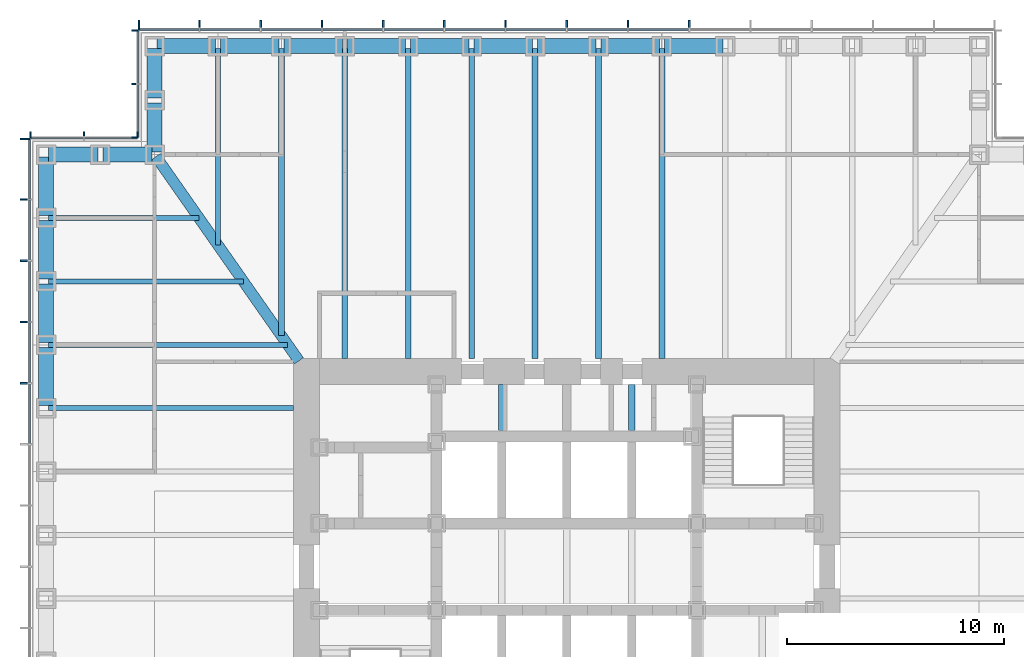
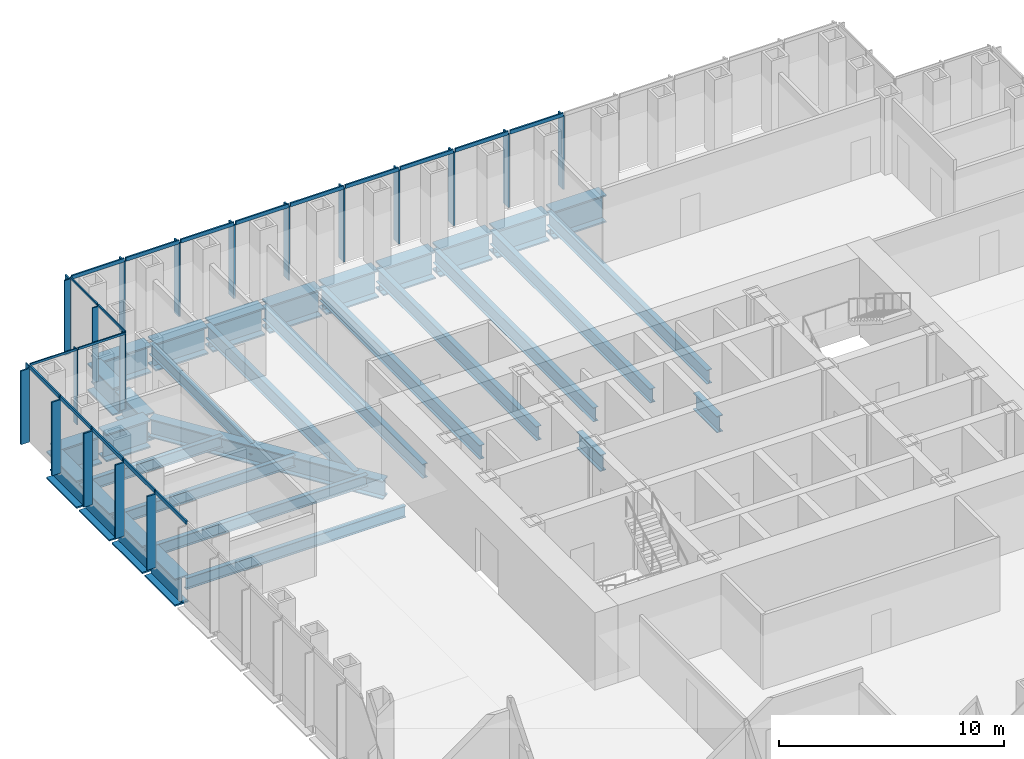
# One storey, part 5 of 17: 39 members, 32 beams, 4 elements without a shape of their own.
"""IFC4 building model written with IfcOpenShell, lengths in metres."""

from ifc_helpers import new_model, si_unit, direction, frame, origin, origin_2d, place, context, subcontext, project, spatial, rectangle, i_section, extrude, material, material_profile, profile_set, type_object, element, aggregate, save


model = new_model("IFC4")

# Units and contexts
model_context = context("Model", 3, precision=1e-05, world=origin(), true_north=direction((0.0, 1.0)))
body_context = subcontext(model_context, "Body", "Model", "MODEL_VIEW")
ifc_project = project(units=[si_unit("LENGTHUNIT", "METRE"), si_unit("AREAUNIT", "SQUARE_METRE"), si_unit("VOLUMEUNIT", "CUBIC_METRE"), si_unit("PLANEANGLEUNIT", "RADIAN"), si_unit("MASSUNIT", "GRAM", prefix="KILO")], contexts=[model_context])

# Site, building, storey
site_placement = place(None, origin())
site = spatial("IfcSite", under=ifc_project, at=site_placement, CompositionType="ELEMENT")
building_placement = place(site_placement, origin())
building = spatial("IfcBuilding", under=site, at=building_placement, Name="Daluyong Arena Tower", CompositionType="ELEMENT")
storey_placement = place(building_placement, frame((0.0, 0.0, 81.10009765625)))
storey = spatial("IfcBuildingStorey", under=building, at=storey_placement, Name="L17", CompositionType="ELEMENT", Elevation=81.10009765625)

# Curtain wall, members
ifc_material_1 = material(Name="Bronze anodised aluminium and glass", Category="aluminium")
curtain_wall_type_1 = type_object("IfcCurtainWallType", Name="Curtain wall CW1", PredefinedType="USERDEFINED", material=ifc_material_1)
curtain_wall_1_placement = place(storey_placement, origin())
curtain_wall_1 = element("IfcCurtainWall", 1, at=curtain_wall_1_placement, inside=storey, type_object=curtain_wall_type_1, Name="curtain wall L17 N", ObjectType="UNITISED CURTAIN WALL", PredefinedType="USERDEFINED")
ifc_material_2 = material(Name="Bronze anodised aluminium fin", Category="aluminium")
ifc_material_profile_1 = material_profile(ifc_material_2, rectangle(XDim=0.449951171875, YDim=0.080078125, at=origin_2d()))
ifc_profile_set_1 = profile_set([ifc_material_profile_1], Name="Bronze anodised aluminium fin")
member_type_1 = type_object("IfcMemberType", Name="CW1 bronze fin 450x80", PredefinedType="MULLION", material=ifc_profile_set_1)
member_1_placement = place(storey_placement, frame((61.642822265625, 104.97509765625, 0.0), z_axis=(0.0, 0.0, 1.0), x_axis=(0.0, -1.0, 0.0)))
member_1 = element("IfcMember", 2, at=member_1_placement, type_object=member_type_1, Name="curtain wall L17 N fin 6", PredefinedType="MULLION", context=body_context, shape_type="SweptSolid", body=[
    extrude(rectangle(XDim=0.449951171875, YDim=0.080078125, at=origin_2d()), origin(), (0.0, 0.0, 1.0), 4.0),
])
member_2_placement = place(storey_placement, frame((58.821533203125, 104.97509765625, 0.0), z_axis=(0.0, 0.0, 1.0), x_axis=(0.0, -1.0, 0.0)))
member_2 = element("IfcMember", 3, at=member_2_placement, type_object=member_type_1, Name="curtain wall L17 N fin 7", PredefinedType="MULLION", context=body_context, shape_type="SweptSolid", body=[
    extrude(rectangle(XDim=0.449951171875, YDim=0.080078125, at=origin_2d()), origin(), (0.0, 0.0, 1.0), 4.0),
])
member_3_placement = place(storey_placement, frame((56.0, 104.97509765625, 0.0), z_axis=(0.0, 0.0, 1.0), x_axis=(0.0, -1.0, 0.0)))
member_3 = element("IfcMember", 4, at=member_3_placement, type_object=member_type_1, Name="curtain wall L17 N fin 8", PredefinedType="MULLION", context=body_context, shape_type="SweptSolid", body=[
    extrude(rectangle(XDim=0.449951171875, YDim=0.080078125, at=origin_2d()), origin(), (0.0, 0.0, 1.0), 4.0),
])
member_4_placement = place(storey_placement, frame((53.178466796875, 104.97509765625, 0.0), z_axis=(0.0, 0.0, 1.0), x_axis=(0.0, -1.0, 0.0)))
member_4 = element("IfcMember", 5, at=member_4_placement, type_object=member_type_1, Name="curtain wall L17 N fin 9", PredefinedType="MULLION", context=body_context, shape_type="SweptSolid", body=[
    extrude(rectangle(XDim=0.449951171875, YDim=0.080078125, at=origin_2d()), origin(), (0.0, 0.0, 1.0), 4.0),
])
member_5_placement = place(storey_placement, frame((50.357177734375, 104.97509765625, 0.0), z_axis=(0.0, 0.0, 1.0), x_axis=(0.0, -1.0, 0.0)))
member_5 = element("IfcMember", 6, at=member_5_placement, type_object=member_type_1, Name="curtain wall L17 N fin 10", PredefinedType="MULLION", context=body_context, shape_type="SweptSolid", body=[
    extrude(rectangle(XDim=0.449951171875, YDim=0.080078125, at=origin_2d()), origin(), (0.0, 0.0, 1.0), 4.0),
])
member_6_placement = place(storey_placement, frame((47.53564453125, 104.97509765625, 0.0), z_axis=(0.0, 0.0, 1.0), x_axis=(0.0, -1.0, 0.0)))
member_6 = element("IfcMember", 7, at=member_6_placement, type_object=member_type_1, Name="curtain wall L17 N fin 11", PredefinedType="MULLION", context=body_context, shape_type="SweptSolid", body=[
    extrude(rectangle(XDim=0.449951171875, YDim=0.080078125, at=origin_2d()), origin(), (0.0, 0.0, 1.0), 4.0),
])
member_7_placement = place(storey_placement, frame((44.71435546875, 104.97509765625, 0.0), z_axis=(0.0, 0.0, 1.0), x_axis=(0.0, -1.0, 0.0)))
member_7 = element("IfcMember", 8, at=member_7_placement, type_object=member_type_1, Name="curtain wall L17 N fin 12", PredefinedType="MULLION", context=body_context, shape_type="SweptSolid", body=[
    extrude(rectangle(XDim=0.449951171875, YDim=0.080078125, at=origin_2d()), origin(), (0.0, 0.0, 1.0), 4.0),
])
member_8_placement = place(storey_placement, frame((41.892822265625, 104.97509765625, 0.0), z_axis=(0.0, 0.0, 1.0), x_axis=(0.0, -1.0, 0.0)))
member_8 = element("IfcMember", 9, at=member_8_placement, type_object=member_type_1, Name="curtain wall L17 N fin 13", PredefinedType="MULLION", context=body_context, shape_type="SweptSolid", body=[
    extrude(rectangle(XDim=0.449951171875, YDim=0.080078125, at=origin_2d()), origin(), (0.0, 0.0, 1.0), 4.0),
])
member_9_placement = place(storey_placement, frame((39.071533203125, 104.97509765625, 0.0), z_axis=(0.0, 0.0, 1.0), x_axis=(0.0, -1.0, 0.0)))
member_9 = element("IfcMember", 10, at=member_9_placement, type_object=member_type_1, Name="curtain wall L17 N fin 14", PredefinedType="MULLION", context=body_context, shape_type="SweptSolid", body=[
    extrude(rectangle(XDim=0.449951171875, YDim=0.080078125, at=origin_2d()), origin(), (0.0, 0.0, 1.0), 4.0),
])
member_10_placement = place(storey_placement, frame((36.2900390625, 104.97509765625, 0.0), z_axis=(0.0, 0.0, 1.0), x_axis=(0.0, -1.0, 0.0)))
member_10 = element("IfcMember", 11, at=member_10_placement, type_object=member_type_1, Name="curtain wall L17 N fin 15", PredefinedType="MULLION", context=body_context, shape_type="SweptSolid", body=[
    extrude(rectangle(XDim=0.449951171875, YDim=0.080078125, at=origin_2d()), origin(), (0.0, 0.0, 1.0), 4.0),
])

curtain_wall_2_placement = place(storey_placement, origin())
curtain_wall_2 = element("IfcCurtainWall", 12, at=curtain_wall_2_placement, inside=storey, type_object=curtain_wall_type_1, Name="curtain wall L17 W", ObjectType="UNITISED CURTAIN WALL", PredefinedType="USERDEFINED")
member_11_placement = place(storey_placement, frame((31.02490234375, 99.7099609375, 0.0), z_axis=(0.0, 0.0, 1.0), x_axis=(1.0, 0.0, 0.0)))
member_11 = element("IfcMember", 13, at=member_11_placement, type_object=member_type_1, Name="curtain wall L17 W fin 1", PredefinedType="MULLION", context=body_context, shape_type="SweptSolid", body=[
    extrude(rectangle(XDim=0.449951171875, YDim=0.080078125, at=origin_2d()), origin(), (0.0, 0.0, 1.0), 4.0),
])
member_12_placement = place(storey_placement, frame((31.02490234375, 96.928466796875, 0.0), z_axis=(0.0, 0.0, 1.0), x_axis=(1.0, 0.0, 0.0)))
member_12 = element("IfcMember", 14, at=member_12_placement, type_object=member_type_1, Name="curtain wall L17 W fin 2", PredefinedType="MULLION", context=body_context, shape_type="SweptSolid", body=[
    extrude(rectangle(XDim=0.449951171875, YDim=0.080078125, at=origin_2d()), origin(), (0.0, 0.0, 1.0), 4.0),
])
member_13_placement = place(storey_placement, frame((31.02490234375, 94.107177734375, 0.0), z_axis=(0.0, 0.0, 1.0), x_axis=(1.0, 0.0, 0.0)))
member_13 = element("IfcMember", 15, at=member_13_placement, type_object=member_type_1, Name="curtain wall L17 W fin 3", PredefinedType="MULLION", context=body_context, shape_type="SweptSolid", body=[
    extrude(rectangle(XDim=0.449951171875, YDim=0.080078125, at=origin_2d()), origin(), (0.0, 0.0, 1.0), 4.0),
])
member_14_placement = place(storey_placement, frame((31.02490234375, 91.28564453125, 0.0), z_axis=(0.0, 0.0, 1.0), x_axis=(1.0, 0.0, 0.0)))
member_14 = element("IfcMember", 16, at=member_14_placement, type_object=member_type_1, Name="curtain wall L17 W fin 4", PredefinedType="MULLION", context=body_context, shape_type="SweptSolid", body=[
    extrude(rectangle(XDim=0.449951171875, YDim=0.080078125, at=origin_2d()), origin(), (0.0, 0.0, 1.0), 4.0),
])
member_15_placement = place(storey_placement, frame((31.02490234375, 88.46435546875, 0.0), z_axis=(0.0, 0.0, 1.0), x_axis=(1.0, 0.0, 0.0)))
member_15 = element("IfcMember", 17, at=member_15_placement, type_object=member_type_1, Name="curtain wall L17 W fin 5", PredefinedType="MULLION", context=body_context, shape_type="SweptSolid", body=[
    extrude(rectangle(XDim=0.449951171875, YDim=0.080078125, at=origin_2d()), origin(), (0.0, 0.0, 1.0), 4.0),
])

# Member
ifc_material_3 = material(Name="Bronze anodised aluminium", Category="aluminium")
ifc_material_profile_2 = material_profile(ifc_material_3, rectangle(XDim=0.080078125, YDim=0.199951171875, at=origin_2d()))
ifc_profile_set_2 = profile_set([ifc_material_profile_2], Name="Bronze anodised aluminium")
member_type_2 = type_object("IfcMemberType", Name="CW1 stack transom 200x80", PredefinedType="USERDEFINED", material=ifc_profile_set_2)
member_16_placement = place(storey_placement, frame((61.602783203125, 104.75, 4.099853515625), z_axis=(-1.0, 0.0, 0.0), x_axis=(0.0, -1.0, 0.0)))
member_16 = element("IfcMember", 18, at=member_16_placement, type_object=member_type_2, Name="curtain wall L17 N transom 6", ObjectType="TRANSOM", PredefinedType="USERDEFINED", context=body_context, shape_type="SweptSolid", body=[
    extrude(rectangle(XDim=0.080078125, YDim=0.199951171875, at=origin_2d()), origin(), (0.0, 0.0, 1.0), 2.741455078125),
])

member_17_placement = place(storey_placement, frame((58.781494140625, 104.75, 4.099853515625), z_axis=(-1.0, 0.0, 0.0), x_axis=(0.0, -1.0, 0.0)))
member_17 = element("IfcMember", 19, at=member_17_placement, type_object=member_type_2, Name="curtain wall L17 N transom 7", ObjectType="TRANSOM", PredefinedType="USERDEFINED", context=body_context, shape_type="SweptSolid", body=[
    extrude(rectangle(XDim=0.080078125, YDim=0.199951171875, at=origin_2d()), origin(), (0.0, 0.0, 1.0), 2.741455078125),
])

member_18_placement = place(storey_placement, frame((55.9599609375, 104.75, 4.099853515625), z_axis=(-1.0, 0.0, 0.0), x_axis=(0.0, -1.0, 0.0)))
member_18 = element("IfcMember", 20, at=member_18_placement, type_object=member_type_2, Name="curtain wall L17 N transom 8", ObjectType="TRANSOM", PredefinedType="USERDEFINED", context=body_context, shape_type="SweptSolid", body=[
    extrude(rectangle(XDim=0.080078125, YDim=0.199951171875, at=origin_2d()), origin(), (0.0, 0.0, 1.0), 2.741455078125),
])

member_19_placement = place(storey_placement, frame((53.138671875, 104.75, 4.099853515625), z_axis=(-1.0, 0.0, 0.0), x_axis=(0.0, -1.0, 0.0)))
member_19 = element("IfcMember", 21, at=member_19_placement, type_object=member_type_2, Name="curtain wall L17 N transom 9", ObjectType="TRANSOM", PredefinedType="USERDEFINED", context=body_context, shape_type="SweptSolid", body=[
    extrude(rectangle(XDim=0.080078125, YDim=0.199951171875, at=origin_2d()), origin(), (0.0, 0.0, 1.0), 2.741455078125),
])

member_20_placement = place(storey_placement, frame((50.317138671875, 104.75, 4.099853515625), z_axis=(-1.0, 0.0, 0.0), x_axis=(0.0, -1.0, 0.0)))
member_20 = element("IfcMember", 22, at=member_20_placement, type_object=member_type_2, Name="curtain wall L17 N transom 10", ObjectType="TRANSOM", PredefinedType="USERDEFINED", context=body_context, shape_type="SweptSolid", body=[
    extrude(rectangle(XDim=0.080078125, YDim=0.199951171875, at=origin_2d()), origin(), (0.0, 0.0, 1.0), 2.741455078125),
])

member_21_placement = place(storey_placement, frame((47.49560546875, 104.75, 4.099853515625), z_axis=(-1.0, 0.0, 0.0), x_axis=(0.0, -1.0, 0.0)))
member_21 = element("IfcMember", 23, at=member_21_placement, type_object=member_type_2, Name="curtain wall L17 N transom 11", ObjectType="TRANSOM", PredefinedType="USERDEFINED", context=body_context, shape_type="SweptSolid", body=[
    extrude(rectangle(XDim=0.080078125, YDim=0.199951171875, at=origin_2d()), origin(), (0.0, 0.0, 1.0), 2.7412109375),
])

member_22_placement = place(storey_placement, frame((44.67431640625, 104.75, 4.099853515625), z_axis=(-1.0, 0.0, 0.0), x_axis=(0.0, -1.0, 0.0)))
member_22 = element("IfcMember", 24, at=member_22_placement, type_object=member_type_2, Name="curtain wall L17 N transom 12", ObjectType="TRANSOM", PredefinedType="USERDEFINED", context=body_context, shape_type="SweptSolid", body=[
    extrude(rectangle(XDim=0.080078125, YDim=0.199951171875, at=origin_2d()), origin(), (0.0, 0.0, 1.0), 2.741455078125),
])

member_23_placement = place(storey_placement, frame((41.852783203125, 104.75, 4.099853515625), z_axis=(-1.0, 0.0, 0.0), x_axis=(0.0, -1.0, 0.0)))
member_23 = element("IfcMember", 25, at=member_23_placement, type_object=member_type_2, Name="curtain wall L17 N transom 13", ObjectType="TRANSOM", PredefinedType="USERDEFINED", context=body_context, shape_type="SweptSolid", body=[
    extrude(rectangle(XDim=0.080078125, YDim=0.199951171875, at=origin_2d()), origin(), (0.0, 0.0, 1.0), 2.741455078125),
])

member_24_placement = place(storey_placement, frame((39.031494140625, 104.75, 4.099853515625), z_axis=(-1.0, 0.0, 0.0), x_axis=(0.0, -1.0, 0.0)))
member_24 = element("IfcMember", 26, at=member_24_placement, type_object=member_type_2, Name="curtain wall L17 N transom 14", ObjectType="TRANSOM", PredefinedType="USERDEFINED", context=body_context, shape_type="SweptSolid", body=[
    extrude(rectangle(XDim=0.080078125, YDim=0.199951171875, at=origin_2d()), origin(), (0.0, 0.0, 1.0), 2.701416015625),
])

aggregate(curtain_wall_1, [member_1, member_2, member_3, member_4, member_5, member_6, member_7, member_8, member_9, member_10, member_16, member_17, member_18, member_19, member_20, member_21, member_22, member_23, member_24])

member_25_placement = place(storey_placement, frame((31.25, 99.669921875, 4.099853515625), z_axis=(0.0, -1.0, 0.0), x_axis=(1.0, 0.0, 0.0)))
member_25 = element("IfcMember", 27, at=member_25_placement, type_object=member_type_2, Name="curtain wall L17 W transom 1", ObjectType="TRANSOM", PredefinedType="USERDEFINED", context=body_context, shape_type="SweptSolid", body=[
    extrude(rectangle(XDim=0.080078125, YDim=0.199951171875, at=origin_2d()), origin(), (0.0, 0.0, 1.0), 2.701416015625),
])

member_26_placement = place(storey_placement, frame((31.25, 96.888671875, 4.099853515625), z_axis=(0.0, -1.0, 0.0), x_axis=(1.0, 0.0, 0.0)))
member_26 = element("IfcMember", 28, at=member_26_placement, type_object=member_type_2, Name="curtain wall L17 W transom 2", ObjectType="TRANSOM", PredefinedType="USERDEFINED", context=body_context, shape_type="SweptSolid", body=[
    extrude(rectangle(XDim=0.080078125, YDim=0.199951171875, at=origin_2d()), origin(), (0.0, 0.0, 1.0), 2.741455078125),
])

member_27_placement = place(storey_placement, frame((31.25, 94.067138671875, 4.099853515625), z_axis=(0.0, -1.0, 0.0), x_axis=(1.0, 0.0, 0.0)))
member_27 = element("IfcMember", 29, at=member_27_placement, type_object=member_type_2, Name="curtain wall L17 W transom 3", ObjectType="TRANSOM", PredefinedType="USERDEFINED", context=body_context, shape_type="SweptSolid", body=[
    extrude(rectangle(XDim=0.080078125, YDim=0.199951171875, at=origin_2d()), origin(), (0.0, 0.0, 1.0), 2.741455078125),
])

member_28_placement = place(storey_placement, frame((31.25, 91.24560546875, 4.099853515625), z_axis=(0.0, -1.0, 0.0), x_axis=(1.0, 0.0, 0.0)))
member_28 = element("IfcMember", 30, at=member_28_placement, type_object=member_type_2, Name="curtain wall L17 W transom 4", ObjectType="TRANSOM", PredefinedType="USERDEFINED", context=body_context, shape_type="SweptSolid", body=[
    extrude(rectangle(XDim=0.080078125, YDim=0.199951171875, at=origin_2d()), origin(), (0.0, 0.0, 1.0), 2.7412109375),
])

member_29_placement = place(storey_placement, frame((31.25, 88.42431640625, 4.099853515625), z_axis=(0.0, -1.0, 0.0), x_axis=(1.0, 0.0, 0.0)))
member_29 = element("IfcMember", 31, at=member_29_placement, type_object=member_type_2, Name="curtain wall L17 W transom 5", ObjectType="TRANSOM", PredefinedType="USERDEFINED", context=body_context, shape_type="SweptSolid", body=[
    extrude(rectangle(XDim=0.080078125, YDim=0.199951171875, at=origin_2d()), origin(), (0.0, 0.0, 1.0), 2.741455078125),
])

aggregate(curtain_wall_2, [member_11, member_12, member_13, member_14, member_15, member_25, member_26, member_27, member_28, member_29])

# Curtain wall, members
ifc_material_4 = material(Name="Bronze anodised aluminium and glass", Category="aluminium")
curtain_wall_type_2 = type_object("IfcCurtainWallType", Name="Curtain wall CW7", PredefinedType="USERDEFINED", material=ifc_material_4)
curtain_wall_3_placement = place(storey_placement, origin())
curtain_wall_3 = element("IfcCurtainWall", 32, at=curtain_wall_3_placement, inside=storey, type_object=curtain_wall_type_2, Name="curtain wall L17 NW-W", ObjectType="UNITISED CURTAIN WALL", PredefinedType="USERDEFINED")
ifc_material_5 = material(Name="Bronze anodised aluminium fin", Category="aluminium")
ifc_material_profile_3 = material_profile(ifc_material_5, rectangle(XDim=0.300048828125, YDim=0.06005859375, at=origin_2d()))
ifc_profile_set_3 = profile_set([ifc_material_profile_3], Name="Bronze anodised aluminium fin")
member_type_3 = type_object("IfcMemberType", Name="CW7 bronze fin 300x60", PredefinedType="MULLION", material=ifc_profile_set_3)
member_30_placement = place(storey_placement, frame((36.10009765625, 104.719970703125, 0.0), z_axis=(0.0, 0.0, 1.0), x_axis=(1.0, 0.0, 0.0)))
member_30 = element("IfcMember", 33, at=member_30_placement, type_object=member_type_3, Name="curtain wall L17 NW-W fin 1", PredefinedType="MULLION", context=body_context, shape_type="SweptSolid", body=[
    extrude(rectangle(XDim=0.300048828125, YDim=0.06005859375, at=origin_2d()), origin(), (0.0, 0.0, 1.0), 4.079833984375),
])
member_31_placement = place(storey_placement, frame((36.10009765625, 102.25, 0.0), z_axis=(0.0, 0.0, 1.0), x_axis=(1.0, 0.0, 0.0)))
member_31 = element("IfcMember", 34, at=member_31_placement, type_object=member_type_3, Name="curtain wall L17 NW-W fin 2", PredefinedType="MULLION", context=body_context, shape_type="SweptSolid", body=[
    extrude(rectangle(XDim=0.300048828125, YDim=0.06005859375, at=origin_2d()), origin(), (0.0, 0.0, 1.0), 4.079833984375),
])
member_32_placement = place(storey_placement, frame((36.10009765625, 99.780029296875, 0.0), z_axis=(0.0, 0.0, 1.0), x_axis=(1.0, 0.0, 0.0)))
member_32 = element("IfcMember", 35, at=member_32_placement, type_object=member_type_3, Name="curtain wall L17 NW-W fin 3", PredefinedType="MULLION", context=body_context, shape_type="SweptSolid", body=[
    extrude(rectangle(XDim=0.300048828125, YDim=0.06005859375, at=origin_2d()), origin(), (0.0, 0.0, 1.0), 4.079833984375),
])

curtain_wall_4_placement = place(storey_placement, origin())
curtain_wall_4 = element("IfcCurtainWall", 36, at=curtain_wall_4_placement, inside=storey, type_object=curtain_wall_type_2, Name="curtain wall L17 NW-N", ObjectType="UNITISED CURTAIN WALL", PredefinedType="USERDEFINED")
member_33_placement = place(storey_placement, frame((36.219970703125, 99.89990234375, 0.0), z_axis=(0.0, 0.0, 1.0), x_axis=(0.0, -1.0, 0.0)))
member_33 = element("IfcMember", 37, at=member_33_placement, type_object=member_type_3, Name="curtain wall L17 NW-N fin 1", PredefinedType="MULLION", context=body_context, shape_type="SweptSolid", body=[
    extrude(rectangle(XDim=0.300048828125, YDim=0.06005859375, at=origin_2d()), origin(), (0.0, 0.0, 1.0), 4.079833984375),
])
member_34_placement = place(storey_placement, frame((33.75, 99.89990234375, 0.0), z_axis=(0.0, 0.0, 1.0), x_axis=(0.0, -1.0, 0.0)))
member_34 = element("IfcMember", 38, at=member_34_placement, type_object=member_type_3, Name="curtain wall L17 NW-N fin 2", PredefinedType="MULLION", context=body_context, shape_type="SweptSolid", body=[
    extrude(rectangle(XDim=0.300048828125, YDim=0.06005859375, at=origin_2d()), origin(), (0.0, 0.0, 1.0), 4.079833984375),
])
member_35_placement = place(storey_placement, frame((31.280029296875, 99.89990234375, 0.0), z_axis=(0.0, 0.0, 1.0), x_axis=(0.0, -1.0, 0.0)))
member_35 = element("IfcMember", 39, at=member_35_placement, type_object=member_type_3, Name="curtain wall L17 NW-N fin 3", PredefinedType="MULLION", context=body_context, shape_type="SweptSolid", body=[
    extrude(rectangle(XDim=0.300048828125, YDim=0.06005859375, at=origin_2d()), origin(), (0.0, 0.0, 1.0), 4.079833984375),
])

# Member
ifc_material_6 = material(Name="Bronze anodised aluminium", Category="aluminium")
ifc_material_profile_4 = material_profile(ifc_material_6, rectangle(XDim=0.06005859375, YDim=0.1201171875, at=origin_2d()))
ifc_profile_set_4 = profile_set([ifc_material_profile_4], Name="Bronze anodised aluminium")
member_type_4 = type_object("IfcMemberType", Name="CW7 stack transom 120x60", PredefinedType="USERDEFINED", material=ifc_profile_set_4)
member_36_placement = place(storey_placement, frame((36.25, 104.68994140625, 4.139892578125), z_axis=(0.0, -1.0, 0.0), x_axis=(1.0, 0.0, 0.0)))
member_36 = element("IfcMember", 40, at=member_36_placement, type_object=member_type_4, Name="curtain wall L17 NW-W transom 1", ObjectType="TRANSOM", PredefinedType="USERDEFINED", context=body_context, shape_type="SweptSolid", body=[
    extrude(rectangle(XDim=0.06005859375, YDim=0.1201171875, at=origin_2d()), origin(), (0.0, 0.0, 1.0), 2.409912109375),
])

member_37_placement = place(storey_placement, frame((36.25, 102.219970703125, 4.139892578125), z_axis=(0.0, -1.0, 0.0), x_axis=(1.0, 0.0, 0.0)))
member_37 = element("IfcMember", 41, at=member_37_placement, type_object=member_type_4, Name="curtain wall L17 NW-W transom 2", ObjectType="TRANSOM", PredefinedType="USERDEFINED", context=body_context, shape_type="SweptSolid", body=[
    extrude(rectangle(XDim=0.06005859375, YDim=0.1201171875, at=origin_2d()), origin(), (0.0, 0.0, 1.0), 2.409912109375),
])

aggregate(curtain_wall_3, [member_30, member_31, member_32, member_36, member_37])

member_38_placement = place(storey_placement, frame((36.18994140625, 99.75, 4.139892578125), z_axis=(-1.0, 0.0, 0.0), x_axis=(0.0, -1.0, 0.0)))
member_38 = element("IfcMember", 42, at=member_38_placement, type_object=member_type_4, Name="curtain wall L17 NW-N transom 1", ObjectType="TRANSOM", PredefinedType="USERDEFINED", context=body_context, shape_type="SweptSolid", body=[
    extrude(rectangle(XDim=0.06005859375, YDim=0.1201171875, at=origin_2d()), origin(), (0.0, 0.0, 1.0), 2.409912109375),
])

member_39_placement = place(storey_placement, frame((33.719970703125, 99.75, 4.139892578125), z_axis=(-1.0, 0.0, 0.0), x_axis=(0.0, -1.0, 0.0)))
member_39 = element("IfcMember", 43, at=member_39_placement, type_object=member_type_4, Name="curtain wall L17 NW-N transom 2", ObjectType="TRANSOM", PredefinedType="USERDEFINED", context=body_context, shape_type="SweptSolid", body=[
    extrude(rectangle(XDim=0.06005859375, YDim=0.1201171875, at=origin_2d()), origin(), (0.0, 0.0, 1.0), 2.409912109375),
])

aggregate(curtain_wall_4, [member_33, member_34, member_35, member_38, member_39])

# Beams
ifc_material_7 = material(Name="Steel ASTM A572 Grade 50", Category="steel")
ifc_material_profile_5 = material_profile(ifc_material_7, i_section(OverallWidth=0.5, OverallDepth=1.0, WebThickness=0.03, FlangeThickness=0.06, at=origin_2d()))
ifc_profile_set_5 = profile_set([ifc_material_profile_5], Name="Steel ASTM A572 Grade 50")
beam_type_1 = type_object("IfcBeamType", Name="Corner girder TB1000X500", PredefinedType="BEAM", material=ifc_profile_set_5)
beam_1_placement = place(storey_placement, frame((37.06591796875, 98.90576171875, -0.66015625), z_axis=(0.573466621875, -0.819228926244, 0.0), x_axis=(0.819228926244, 0.573466621875, 0.0)))
element("IfcBeam", 44, at=beam_1_placement, inside=storey, type_object=beam_type_1, Name="corner girder DG2", PredefinedType="BEAM", context=body_context, shape_type="SweptSolid", body=[
    extrude(i_section(OverallWidth=0.5, OverallDepth=1.0, WebThickness=0.03, FlangeThickness=0.06, at=origin_2d()), origin(), (0.0, 0.0, 1.0), 11.49169921875),
])
ifc_material_8 = material(Name="Steel ASTM A992 Grade 50", Category="steel")
ifc_material_profile_6 = material_profile(ifc_material_8, i_section(OverallWidth=0.22900390625, OverallDepth=0.612060546875, WebThickness=0.011962890625, FlangeThickness=0.01953125, at=origin_2d()))
ifc_profile_set_6 = profile_set([ifc_material_profile_6], Name="Steel ASTM A992 Grade 50")
beam_type_2 = type_object("IfcBeamType", Name="Floor beam W24X84", PredefinedType="BEAM", material=ifc_profile_set_6)
beam_2_placement = place(storey_placement, frame((39.923095703125, 103.885009765625, -0.466064453125), z_axis=(0.0, -1.0, 0.0), x_axis=(1.0, 0.0, 0.0)))
element("IfcBeam", 45, at=beam_2_placement, inside=storey, type_object=beam_type_2, Name="floor beam FB3", PredefinedType="BEAM", context=body_context, shape_type="SweptSolid", body=[
    extrude(i_section(OverallWidth=0.22900390625, OverallDepth=0.612060546875, WebThickness=0.011962890625, FlangeThickness=0.01953125, at=origin_2d()), origin(), (0.0, 0.0, 1.0), 9.060791015625),
])
beam_3_placement = place(storey_placement, frame((32.114990234375, 96.076904296875, -0.466064453125), z_axis=(1.0, 0.0, 0.0), x_axis=(0.0, 1.0, 0.0)))
element("IfcBeam", 46, at=beam_3_placement, inside=storey, type_object=beam_type_2, Name="floor beam FB3", PredefinedType="BEAM", context=body_context, shape_type="SweptSolid", body=[
    extrude(i_section(OverallWidth=0.22900390625, OverallDepth=0.612060546875, WebThickness=0.011962890625, FlangeThickness=0.01953125, at=origin_2d()), origin(), (0.0, 0.0, 1.0), 6.93115234375),
])
beam_4_placement = place(storey_placement, frame((32.114990234375, 93.15380859375, -0.466064453125), z_axis=(1.0, 0.0, 0.0), x_axis=(0.0, 1.0, 0.0)))
element("IfcBeam", 47, at=beam_4_placement, inside=storey, type_object=beam_type_2, Name="floor beam FB3", PredefinedType="BEAM", context=body_context, shape_type="SweptSolid", body=[
    extrude(i_section(OverallWidth=0.22900390625, OverallDepth=0.612060546875, WebThickness=0.011962890625, FlangeThickness=0.01953125, at=origin_2d()), origin(), (0.0, 0.0, 1.0), 8.977294921875),
])
beam_5_placement = place(storey_placement, frame((32.114990234375, 90.230712890625, -0.466064453125), z_axis=(1.0, 0.0, 0.0), x_axis=(0.0, 1.0, 0.0)))
element("IfcBeam", 48, at=beam_5_placement, inside=storey, type_object=beam_type_2, Name="floor beam FB3", PredefinedType="BEAM", context=body_context, shape_type="SweptSolid", body=[
    extrude(i_section(OverallWidth=0.22900390625, OverallDepth=0.612060546875, WebThickness=0.011962890625, FlangeThickness=0.01953125, at=origin_2d()), origin(), (0.0, 0.0, 1.0), 11.0234375),
])
beam_6_placement = place(storey_placement, frame((32.114990234375, 87.3076171875, -0.466064453125), z_axis=(1.0, 0.0, 0.0), x_axis=(0.0, 1.0, 0.0)))
element("IfcBeam", 49, at=beam_6_placement, inside=storey, type_object=beam_type_2, Name="floor beam FB3", PredefinedType="BEAM", context=body_context, shape_type="SweptSolid", body=[
    extrude(i_section(OverallWidth=0.22900390625, OverallDepth=0.612060546875, WebThickness=0.011962890625, FlangeThickness=0.01953125, at=origin_2d()), origin(), (0.0, 0.0, 1.0), 11.284912109375),
])
ifc_material_9 = material(Name="Steel ASTM A992 Grade 50", Category="steel")
ifc_material_profile_7 = material_profile(ifc_material_9, i_section(OverallWidth=0.2666015625, OverallDepth=0.761962890625, WebThickness=0.014404296875, FlangeThickness=0.021484375, at=origin_2d()))
ifc_profile_set_7 = profile_set([ifc_material_profile_7], Name="Steel ASTM A992 Grade 50")
beam_type_3 = type_object("IfcBeamType", Name="Floor beam W30X116", PredefinedType="BEAM", material=ifc_profile_set_7)
for number, where, z_axis, x_axis, name in (
    (50, (60.384521484375, 103.885009765625, -0.541015625), (0.0, -1.0, 0.0), (1.0, 0.0, 0.0), "floor beam FB4"),
    (51, (57.46142578125, 103.885009765625, -0.541015625), (0.0, -1.0, 0.0), (1.0, 0.0, 0.0), "floor beam FB4"),
    (52, (54.53857421875, 103.885009765625, -0.541015625), (0.0, -1.0, 0.0), (1.0, 0.0, 0.0), "floor beam FB4"),
    (53, (51.615478515625, 103.885009765625, -0.541015625), (0.0, -1.0, 0.0), (1.0, 0.0, 0.0), "floor beam FB4"),
    (54, (48.6923828125, 103.885009765625, -0.541015625), (0.0, -1.0, 0.0), (1.0, 0.0, 0.0), "floor beam FB4"),
    (55, (45.769287109375, 103.885009765625, -0.541015625), (0.0, -1.0, 0.0), (1.0, 0.0, 0.0), "floor beam FB4"),
):
    element("IfcBeam", number, at=place(storey_placement, frame(where, z_axis=z_axis, x_axis=x_axis)), inside=storey, type_object=beam_type_3, Name=name, PredefinedType="BEAM", context=body_context, shape_type="SweptSolid", body=[
        extrude(i_section(OverallWidth=0.2666015625, OverallDepth=0.761962890625, WebThickness=0.014404296875, FlangeThickness=0.021484375, at=origin_2d()), origin(), (0.0, 0.0, 1.0), 14.284912109375),
    ])
beam_7_placement = place(storey_placement, frame((42.84619140625, 103.885009765625, -0.541015625), z_axis=(0.0, -1.0, 0.0), x_axis=(1.0, 0.0, 0.0)))
element("IfcBeam", 56, at=beam_7_placement, inside=storey, type_object=beam_type_3, Name="floor beam FB4", PredefinedType="BEAM", context=body_context, shape_type="SweptSolid", body=[
    extrude(i_section(OverallWidth=0.2666015625, OverallDepth=0.761962890625, WebThickness=0.014404296875, FlangeThickness=0.021484375, at=origin_2d()), origin(), (0.0, 0.0, 1.0), 13.236572265625),
])
ifc_material_10 = material(Name="Steel ASTM A572 Grade 50", Category="steel")
ifc_material_profile_8 = material_profile(ifc_material_10, i_section(OverallWidth=0.300048828125, OverallDepth=0.89990234375, WebThickness=0.025, FlangeThickness=0.04, at=origin_2d()))
ifc_profile_set_8 = profile_set([ifc_material_profile_8], Name="Steel ASTM A572 Grade 50")
beam_type_4 = type_object("IfcBeamType", Name="Lift divider beam PG900X300", PredefinedType="BEAM", material=ifc_profile_set_8)
for number, where, z_axis, x_axis, name in (
    (57, (53.0, 86.27490234375, -0.610107421875), (0.0, 1.0, 0.0), (-1.0, 0.0, 0.0), "lift divider beam DB1"),
    (58, (59.0, 86.27490234375, -0.610107421875), (0.0, 1.0, 0.0), (-1.0, 0.0, 0.0), "lift divider beam DB1"),
):
    element("IfcBeam", number, at=place(storey_placement, frame(where, z_axis=z_axis, x_axis=x_axis)), inside=storey, type_object=beam_type_4, Name=name, PredefinedType="BEAM", context=body_context, shape_type="SweptSolid", body=[
        extrude(i_section(OverallWidth=0.300048828125, OverallDepth=0.89990234375, WebThickness=0.025, FlangeThickness=0.04, at=origin_2d()), origin(), (0.0, 0.0, 1.0), 2.125),
    ])
ifc_material_11 = material(Name="Steel ASTM A572 Grade 50", Category="steel")
ifc_material_profile_9 = material_profile(ifc_material_11, i_section(OverallWidth=0.699951171875, OverallDepth=1.5, WebThickness=0.04, FlangeThickness=0.08, at=origin_2d()))
ifc_profile_set_9 = profile_set([ifc_material_profile_9], Name="Steel ASTM A572 Grade 50")
beam_type_5 = type_object("IfcBeamType", Name="Spandrel Z1 PG1500X700", PredefinedType="SPANDREL", material=ifc_profile_set_9)
for number, where, z_axis, x_axis, name in (
    (59, (63.192626953125, 104.0, -0.91015625), (-1.0, 0.0, 0.0), (0.0, -1.0, 0.0), "spandrel z1 SB4"),
    (60, (60.26953125, 104.0, -0.91015625), (-1.0, 0.0, 0.0), (0.0, -1.0, 0.0), "spandrel z1 SB4"),
):
    element("IfcBeam", number, at=place(storey_placement, frame(where, z_axis=z_axis, x_axis=x_axis)), inside=storey, type_object=beam_type_5, Name=name, PredefinedType="SPANDREL", context=body_context, shape_type="SweptSolid", body=[
        extrude(i_section(OverallWidth=0.699951171875, OverallDepth=1.5, WebThickness=0.04, FlangeThickness=0.08, at=origin_2d()), origin(), (0.0, 0.0, 1.0), 2.693115234375),
    ])
beam_8_placement = place(storey_placement, frame((57.346435546875, 104.0, -0.91015625), z_axis=(-1.0, 0.0, 0.0), x_axis=(0.0, -1.0, 0.0)))
element("IfcBeam", 61, at=beam_8_placement, inside=storey, type_object=beam_type_5, Name="spandrel z1 SB4", PredefinedType="SPANDREL", context=body_context, shape_type="SweptSolid", body=[
    extrude(i_section(OverallWidth=0.699951171875, OverallDepth=1.5, WebThickness=0.04, FlangeThickness=0.08, at=origin_2d()), origin(), (0.0, 0.0, 1.0), 2.69287109375),
])
for number, where, z_axis, x_axis, name in (
    (62, (54.423583984375, 104.0, -0.91015625), (-1.0, 0.0, 0.0), (0.0, -1.0, 0.0), "spandrel z1 SB4"),
    (63, (51.50048828125, 104.0, -0.91015625), (-1.0, 0.0, 0.0), (0.0, -1.0, 0.0), "spandrel z1 SB4"),
    (64, (48.577392578125, 104.0, -0.91015625), (-1.0, 0.0, 0.0), (0.0, -1.0, 0.0), "spandrel z1 SB4"),
    (65, (45.654296875, 104.0, -0.91015625), (-1.0, 0.0, 0.0), (0.0, -1.0, 0.0), "spandrel z1 SB4"),
    (66, (42.731201171875, 104.0, -0.91015625), (-1.0, 0.0, 0.0), (0.0, -1.0, 0.0), "spandrel z1 SB4"),
    (67, (39.80810546875, 104.0, -0.91015625), (-1.0, 0.0, 0.0), (0.0, -1.0, 0.0), "spandrel z1 SB4"),
):
    element("IfcBeam", number, at=place(storey_placement, frame(where, z_axis=z_axis, x_axis=x_axis)), inside=storey, type_object=beam_type_5, Name=name, PredefinedType="SPANDREL", context=body_context, shape_type="SweptSolid", body=[
        extrude(i_section(OverallWidth=0.699951171875, OverallDepth=1.5, WebThickness=0.04, FlangeThickness=0.08, at=origin_2d()), origin(), (0.0, 0.0, 1.0), 2.693115234375),
    ])
for number, where, z_axis, x_axis, name in (
    (68, (37.0, 103.885009765625, -0.91015625), (0.0, -1.0, 0.0), (1.0, 0.0, 0.0), "spandrel z1 SB4"),
    (69, (37.0, 101.385009765625, -0.91015625), (0.0, -1.0, 0.0), (1.0, 0.0, 0.0), "spandrel z1 SB4"),
    (70, (36.885009765625, 99.0, -0.91015625), (-1.0, 0.0, 0.0), (0.0, -1.0, 0.0), "spandrel z1 SB4"),
    (71, (34.385009765625, 99.0, -0.91015625), (-1.0, 0.0, 0.0), (0.0, -1.0, 0.0), "spandrel z1 SB4"),
):
    element("IfcBeam", number, at=place(storey_placement, frame(where, z_axis=z_axis, x_axis=x_axis)), inside=storey, type_object=beam_type_5, Name=name, PredefinedType="SPANDREL", context=body_context, shape_type="SweptSolid", body=[
        extrude(i_section(OverallWidth=0.699951171875, OverallDepth=1.5, WebThickness=0.04, FlangeThickness=0.08, at=origin_2d()), origin(), (0.0, 0.0, 1.0), 2.27001953125),
    ])
for number, where, z_axis, x_axis, name in (
    (72, (32.0, 98.885009765625, -0.91015625), (0.0, -1.0, 0.0), (1.0, 0.0, 0.0), "spandrel z1 SB4"),
    (73, (32.0, 95.9619140625, -0.91015625), (0.0, -1.0, 0.0), (1.0, 0.0, 0.0), "spandrel z1 SB4"),
    (74, (32.0, 93.038818359375, -0.91015625), (0.0, -1.0, 0.0), (1.0, 0.0, 0.0), "spandrel z1 SB4"),
    (75, (32.0, 90.11572265625, -0.91015625), (0.0, -1.0, 0.0), (1.0, 0.0, 0.0), "spandrel z1 SB4"),
):
    element("IfcBeam", number, at=place(storey_placement, frame(where, z_axis=z_axis, x_axis=x_axis)), inside=storey, type_object=beam_type_5, Name=name, PredefinedType="SPANDREL", context=body_context, shape_type="SweptSolid", body=[
        extrude(i_section(OverallWidth=0.699951171875, OverallDepth=1.5, WebThickness=0.04, FlangeThickness=0.08, at=origin_2d()), origin(), (0.0, 0.0, 1.0), 2.693115234375),
    ])

save(model, "model.ifc")
